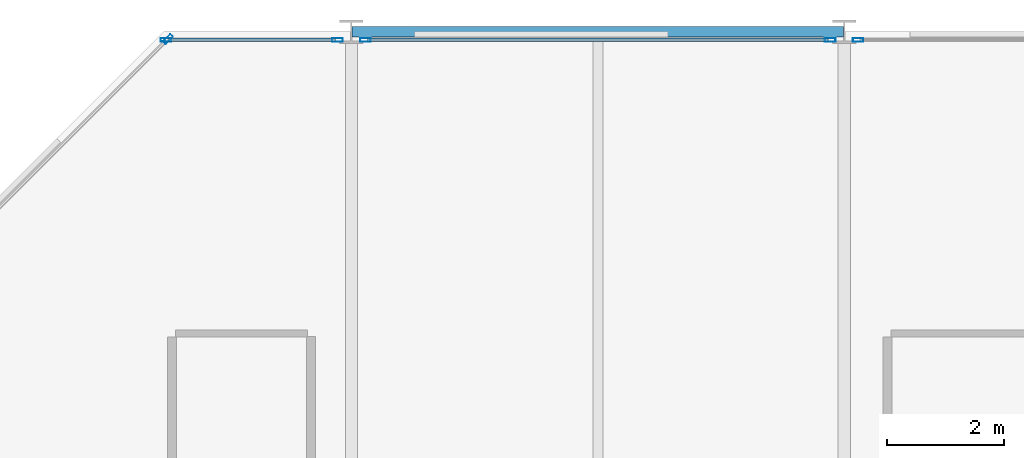
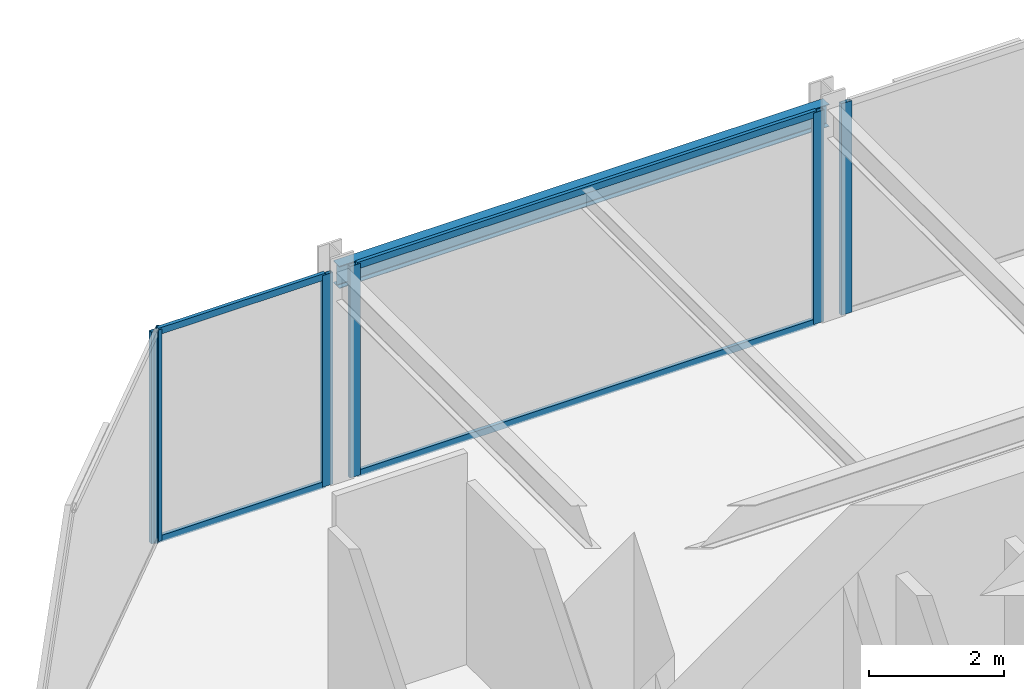
# One storey, part 29 of 38: 10 members, 1 beam, 4 elements without a shape of their own.
"""IFC4 building model written with IfcOpenShell, lengths in metres."""

from ifc_helpers import new_model, si_unit, direction, frame, origin, origin_2d, place, context, subcontext, project, spatial, hollow_rectangle, i_section, extrude, material, layer, layer_set, material_profile, profile_set, type_object, element, aggregate, save


model = new_model("IFC4")

# Units and contexts
model_context = context("Model", 3, precision=1e-05, world=origin(), true_north=direction((0.0, 1.0)))
body_context = subcontext(model_context, "Body", "Model", "MODEL_VIEW")
ifc_project = project(units=[si_unit("LENGTHUNIT", "METRE"), si_unit("AREAUNIT", "SQUARE_METRE"), si_unit("VOLUMEUNIT", "CUBIC_METRE"), si_unit("PLANEANGLEUNIT", "RADIAN"), si_unit("MASSUNIT", "GRAM", prefix="KILO")], contexts=[model_context])

# Site, building, storey
site_placement = place(None, origin())
site = spatial("IfcSite", under=ifc_project, at=site_placement, CompositionType="ELEMENT")
building_placement = place(site_placement, origin())
building = spatial("IfcBuilding", under=site, at=building_placement, Name="Nerrivon Quay Data Exchange", CompositionType="ELEMENT")
storey_placement = place(building_placement, frame((0.0, 0.0, 88.5)))
storey = spatial("IfcBuildingStorey", under=building, at=storey_placement, Name="L20", CompositionType="ELEMENT", Elevation=88.5)

# Beam
ifc_material_1 = material(Name="Steel Grade 350", Category="steel")
ifc_material_profile_1 = material_profile(ifc_material_1, i_section(OverallWidth=0.177978515625, OverallDepth=0.403076171875, WebThickness=0.007568359375, FlangeThickness=0.010986328125, FilletRadius=0.011474609375, at=origin_2d()), Name="410UB53.7")
ifc_profile_set_1 = profile_set([ifc_material_profile_1], Name="Steel Grade 350")
beam_type = type_object("IfcBeamType", Name="BM-SP2-410UB54", PredefinedType="SPANDREL", material=ifc_profile_set_1)
beam_placement = place(storey_placement, frame((8.41259765625, 50.39990234375, 3.62353515625), z_axis=(1.0, 0.0, 0.0), x_axis=(0.0, 1.0, 0.0)))
element("IfcBeam", 1, at=beam_placement, inside=storey, type_object=beam_type, Name="L20 EW Girder Y=50.4 (8.4..16.8)", PredefinedType="SPANDREL", context=body_context, shape_type="SweptSolid", body=[
    extrude(i_section(OverallWidth=0.177978515625, OverallDepth=0.403076171875, WebThickness=0.007568359375, FlangeThickness=0.010986328125, FilletRadius=0.011474609375, at=origin_2d()), origin(), (0.0, 0.0, 1.0), 8.375),
])

# Curtain wall, member
ifc_material_2 = material(Name="Anodised aluminium 6063-T6", Category="aluminium")
ifc_layer = layer(ifc_material_2, 0.2099609375)
ifc_layer_set = layer_set([ifc_layer], Name="Anodised aluminium 6063-T6")
curtain_wall_type = type_object("IfcCurtainWallType", Name="CW-SYS-02", PredefinedType="NOTDEFINED", material=ifc_layer_set)
curtain_wall_1_placement = place(storey_placement, origin())
curtain_wall_1 = element("IfcCurtainWall", 2, at=curtain_wall_1_placement, inside=storey, type_object=curtain_wall_type, Name="L20 Unitised Curtain Wall 23", PredefinedType="NOTDEFINED")
ifc_material_profile_2 = material_profile(ifc_material_2, hollow_rectangle(XDim=0.06494140625, YDim=0.179931640625, WallThickness=0.00341796875, at=origin_2d()), Name="ALU-MULL-180x65")
ifc_profile_set_2 = profile_set([ifc_material_profile_2], Name="Anodised aluminium 6063-T6")
member_type_1 = type_object("IfcMemberType", Name="CWM-180x65", PredefinedType="MULLION", material=ifc_profile_set_2)
member_1_placement = place(storey_placement, frame((5.2724609375, 50.2744140625, 0.0), z_axis=(0.0, 0.0, 1.0), x_axis=(-0.707106781187, 0.707106781187, 0.0)))
member_1 = element("IfcMember", 3, at=member_1_placement, type_object=member_type_1, Name="CW02 mullion 2", PredefinedType="MULLION", context=body_context, shape_type="SweptSolid", body=[
    extrude(hollow_rectangle(XDim=0.06494140625, YDim=0.179931640625, WallThickness=0.00341796875, at=origin_2d()), origin(), (0.0, 0.0, 1.0), 3.824951171875),
])
aggregate(curtain_wall_1, [member_1])

# Curtain wall, members
curtain_wall_2_placement = place(storey_placement, origin())
curtain_wall_2 = element("IfcCurtainWall", 4, at=curtain_wall_2_placement, inside=storey, type_object=curtain_wall_type, Name="L20 Unitised Curtain Wall 24", PredefinedType="NOTDEFINED")
member_2_placement = place(storey_placement, frame((5.237548828125, 50.260009765625, 0.0), z_axis=(0.0, 0.0, 1.0), x_axis=(0.0, 1.0, 0.0)))
member_2 = element("IfcMember", 5, at=member_2_placement, type_object=member_type_1, Name="CW02 mullion 1", PredefinedType="MULLION", context=body_context, shape_type="SweptSolid", body=[
    extrude(hollow_rectangle(XDim=0.06494140625, YDim=0.179931640625, WallThickness=0.00341796875, at=origin_2d()), origin(), (0.0, 0.0, 1.0), 3.824951171875),
])
member_3_placement = place(storey_placement, frame((8.16259765625, 50.260009765625, 0.0), z_axis=(0.0, 0.0, 1.0), x_axis=(0.0, 1.0, 0.0)))
member_3 = element("IfcMember", 6, at=member_3_placement, type_object=member_type_1, Name="CW02 mullion 2", PredefinedType="MULLION", context=body_context, shape_type="SweptSolid", body=[
    extrude(hollow_rectangle(XDim=0.06494140625, YDim=0.179931640625, WallThickness=0.00341796875, at=origin_2d()), origin(), (0.0, 0.0, 1.0), 3.824951171875),
])

curtain_wall_3_placement = place(storey_placement, origin())
curtain_wall_3 = element("IfcCurtainWall", 7, at=curtain_wall_3_placement, inside=storey, type_object=curtain_wall_type, Name="L20 Unitised Curtain Wall 25", PredefinedType="NOTDEFINED")
member_4_placement = place(storey_placement, frame((8.637451171875, 50.260009765625, 0.0), z_axis=(0.0, 0.0, 1.0), x_axis=(0.0, 1.0, 0.0)))
member_4 = element("IfcMember", 8, at=member_4_placement, type_object=member_type_1, Name="CW02 mullion 1", PredefinedType="MULLION", context=body_context, shape_type="SweptSolid", body=[
    extrude(hollow_rectangle(XDim=0.06494140625, YDim=0.179931640625, WallThickness=0.00341796875, at=origin_2d()), origin(), (0.0, 0.0, 1.0), 3.824951171875),
])
member_5_placement = place(storey_placement, frame((16.5625, 50.260009765625, 0.0), z_axis=(0.0, 0.0, 1.0), x_axis=(0.0, 1.0, 0.0)))
member_5 = element("IfcMember", 9, at=member_5_placement, type_object=member_type_1, Name="CW02 mullion 2", PredefinedType="MULLION", context=body_context, shape_type="SweptSolid", body=[
    extrude(hollow_rectangle(XDim=0.06494140625, YDim=0.179931640625, WallThickness=0.00341796875, at=origin_2d()), origin(), (0.0, 0.0, 1.0), 3.824951171875),
])

# Curtain wall, member
curtain_wall_4_placement = place(storey_placement, origin())
curtain_wall_4 = element("IfcCurtainWall", 10, at=curtain_wall_4_placement, inside=storey, type_object=curtain_wall_type, Name="L20 Unitised Curtain Wall 26", PredefinedType="NOTDEFINED")
member_6_placement = place(storey_placement, frame((17.03759765625, 50.260009765625, 0.0), z_axis=(0.0, 0.0, 1.0), x_axis=(0.0, 1.0, 0.0)))
member_6 = element("IfcMember", 11, at=member_6_placement, type_object=member_type_1, Name="CW02 mullion 1", PredefinedType="MULLION", context=body_context, shape_type="SweptSolid", body=[
    extrude(hollow_rectangle(XDim=0.06494140625, YDim=0.179931640625, WallThickness=0.00341796875, at=origin_2d()), origin(), (0.0, 0.0, 1.0), 3.824951171875),
])
aggregate(curtain_wall_4, [member_6])

# Member
ifc_material_profile_3 = material_profile(ifc_material_2, hollow_rectangle(XDim=0.06005859375, YDim=0.1201171875, WallThickness=0.003173828125, at=origin_2d()), Name="ALU-TRAN-120x60")
ifc_profile_set_3 = profile_set([ifc_material_profile_3], Name="Anodised aluminium 6063-T6")
member_type_2 = type_object("IfcMemberType", Name="CWT-120x60", PredefinedType="USERDEFINED", material=ifc_profile_set_3)
member_7_placement = place(storey_placement, frame((5.27490234375, 50.260009765625, 0.032470703125), z_axis=(1.0, 0.0, 0.0), x_axis=(0.0, 1.0, 0.0)))
member_7 = element("IfcMember", 12, at=member_7_placement, type_object=member_type_2, Name="CW02 transom 1.1", ObjectType="TRANSOM", PredefinedType="USERDEFINED", context=body_context, shape_type="SweptSolid", body=[
    extrude(hollow_rectangle(XDim=0.06005859375, YDim=0.1201171875, WallThickness=0.003173828125, at=origin_2d()), origin(), (0.0, 0.0, 1.0), 2.85009765625),
])

member_8_placement = place(storey_placement, frame((5.27490234375, 50.260009765625, 3.79248046875), z_axis=(1.0, 0.0, 0.0), x_axis=(0.0, 1.0, 0.0)))
member_8 = element("IfcMember", 13, at=member_8_placement, type_object=member_type_2, Name="CW02 transom 1.2", ObjectType="TRANSOM", PredefinedType="USERDEFINED", context=body_context, shape_type="SweptSolid", body=[
    extrude(hollow_rectangle(XDim=0.06005859375, YDim=0.1201171875, WallThickness=0.003173828125, at=origin_2d()), origin(), (0.0, 0.0, 1.0), 2.85009765625),
])

aggregate(curtain_wall_2, [member_2, member_3, member_7, member_8])

member_9_placement = place(storey_placement, frame((8.675048828125, 50.260009765625, 0.032470703125), z_axis=(1.0, 0.0, 0.0), x_axis=(0.0, 1.0, 0.0)))
member_9 = element("IfcMember", 14, at=member_9_placement, type_object=member_type_2, Name="CW02 transom 1.1", ObjectType="TRANSOM", PredefinedType="USERDEFINED", context=body_context, shape_type="SweptSolid", body=[
    extrude(hollow_rectangle(XDim=0.06005859375, YDim=0.1201171875, WallThickness=0.003173828125, at=origin_2d()), origin(), (0.0, 0.0, 1.0), 7.849853515625),
])

member_10_placement = place(storey_placement, frame((8.675048828125, 50.260009765625, 3.79248046875), z_axis=(1.0, 0.0, 0.0), x_axis=(0.0, 1.0, 0.0)))
member_10 = element("IfcMember", 15, at=member_10_placement, type_object=member_type_2, Name="CW02 transom 1.2", ObjectType="TRANSOM", PredefinedType="USERDEFINED", context=body_context, shape_type="SweptSolid", body=[
    extrude(hollow_rectangle(XDim=0.06005859375, YDim=0.1201171875, WallThickness=0.003173828125, at=origin_2d()), origin(), (0.0, 0.0, 1.0), 7.849853515625),
])

aggregate(curtain_wall_3, [member_4, member_5, member_9, member_10])

save(model, "model.ifc")
